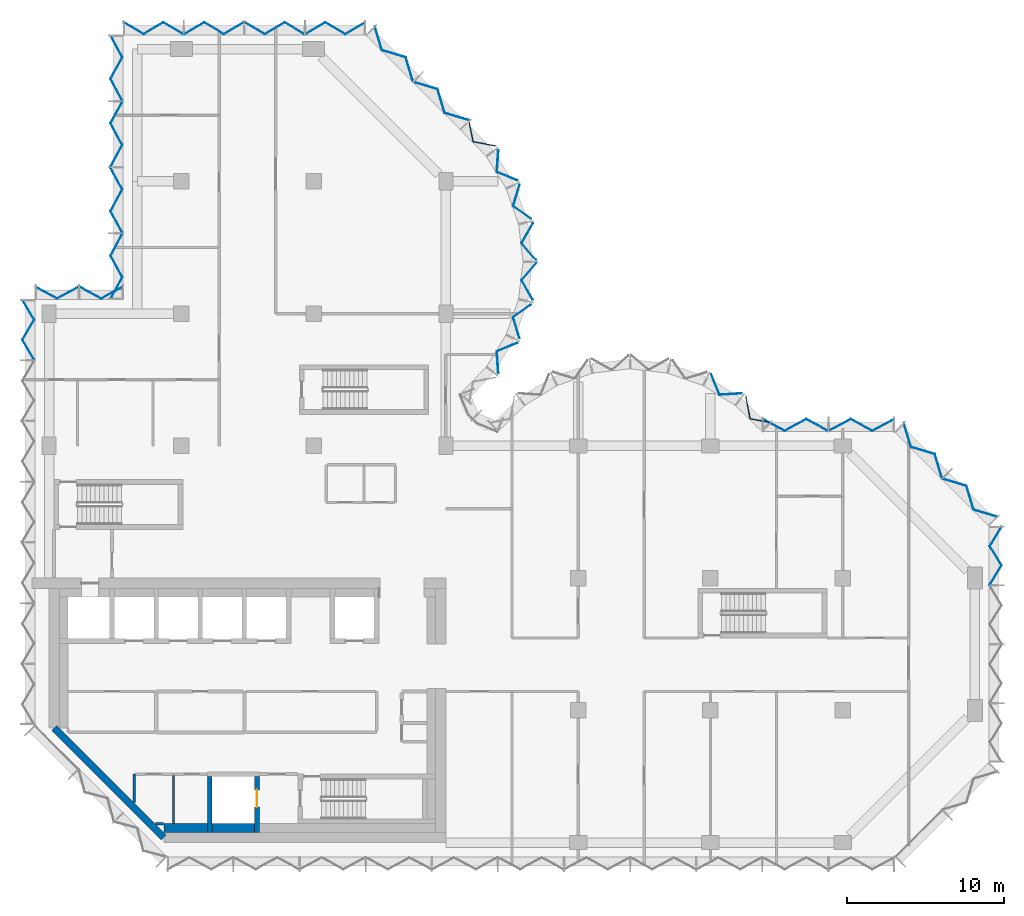
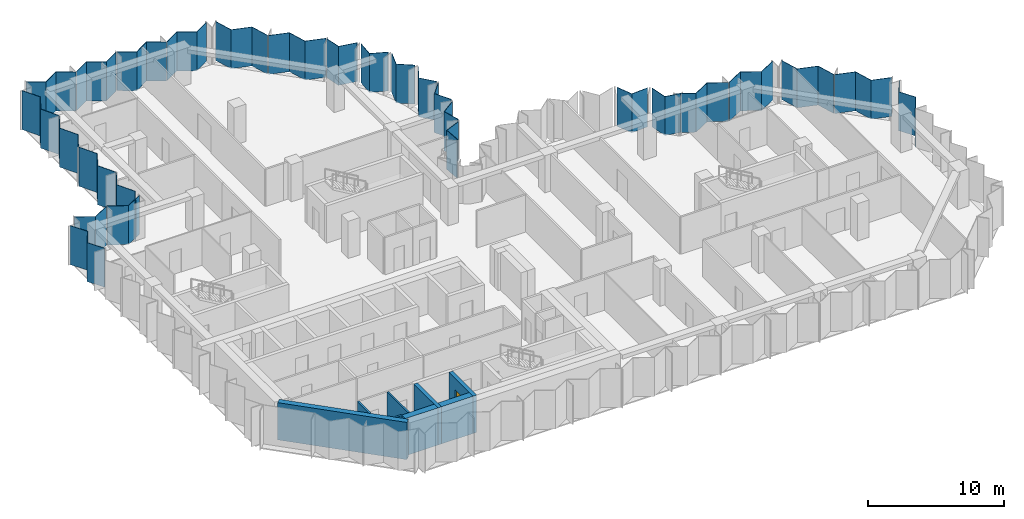
# One storey, part 4 of 10: 27 plates, 8 walls, 1 door, 1 opening, 10 elements without a shape of their own.
"""IFC4 building model written with IfcOpenShell, lengths in metres."""

from ifc_helpers import new_model, si_unit, direction, frame, frame_2d, origin, place, context, subcontext, project, spatial, polyline, rectangle, outline, extrude, material, layer, layer_set, type_object, element, fill, aggregate, save


model = new_model("IFC4")

# Units and contexts
model_context = context("Model", 3, precision=1e-05, world=origin(), true_north=direction((0.0, 1.0)))
body_context = subcontext(model_context, "Body", "Model", "MODEL_VIEW")
ifc_project = project(units=[si_unit("LENGTHUNIT", "METRE"), si_unit("AREAUNIT", "SQUARE_METRE"), si_unit("VOLUMEUNIT", "CUBIC_METRE"), si_unit("PLANEANGLEUNIT", "RADIAN"), si_unit("MASSUNIT", "GRAM", prefix="KILO")], contexts=[model_context])

# Site, building, storey
site_placement = place(None, origin())
site = spatial("IfcSite", under=ifc_project, at=site_placement, CompositionType="ELEMENT")
building_placement = place(site_placement, origin())
building = spatial("IfcBuilding", under=site, at=building_placement, Name="Brevane Broadcast Tower", CompositionType="ELEMENT")
storey_placement = place(building_placement, frame((0.0, 0.0, 170.39990234375)))
storey = spatial("IfcBuildingStorey", under=building, at=storey_placement, Name="L42", CompositionType="ELEMENT", Elevation=170.39990234375)

# Curtain wall, plate
ifc_material_1 = material(Name="Aluminium 6063-T6 bronze anodised", Category="aluminium")
curtain_wall_type = type_object("IfcCurtainWallType", Name="CW-1 curtain wall", PredefinedType="NOTDEFINED", material=ifc_material_1)
curtain_wall_1_placement = place(storey_placement, origin())
curtain_wall_1 = element("IfcCurtainWall", 1, at=curtain_wall_1_placement, inside=storey, type_object=curtain_wall_type, Name="CW-1 typical tilted unit L42 east end", PredefinedType="NOTDEFINED")
ifc_material_2 = material(Name="Laminated glass bronze-tinted", Category="glass")
ifc_layer_1 = layer(ifc_material_2, 0.0400390625)
ifc_layer_set_1 = layer_set([ifc_layer_1], Name="CW tall glass panel 40")
plate_type = type_object("IfcPlateType", Name="CW tall glass panel 40", PredefinedType="CURTAIN_PANEL", material=ifc_layer_set_1)
plate_1_placement = place(storey_placement, frame((0.0, 0.0, -0.14990234375)))
plate_1 = element("IfcPlate", 2, at=plate_1_placement, type_object=plate_type, Name="CW-1 glass panel", PredefinedType="CURTAIN_PANEL", context=body_context, shape_type="SweptSolid", body=[
    extrude(outline(polyline([(59.7265625, 16.385009765625), (59.7734375, 16.385009765625), (60.517822265625, 17.61181640625), (59.7734375, 18.83837890625), (60.517822265625, 20.06494140625), (60.470947265625, 20.06494140625), (59.7265625, 18.83837890625), (60.470947265625, 17.61181640625), (59.7265625, 16.385009765625)])), origin(), (0.0, 0.0, 1.0), 3.5),
])
aggregate(curtain_wall_1, [plate_1])

# Curtain wall, plates
curtain_wall_2_placement = place(storey_placement, origin())
curtain_wall_2 = element("IfcCurtainWall", 3, at=curtain_wall_2_placement, inside=storey, type_object=curtain_wall_type, Name="CW-1 typical tilted unit L42 north-east chamfer", PredefinedType="NOTDEFINED")
plate_2_placement = place(storey_placement, frame((0.0, 0.0, -0.14990234375)))
plate_2 = element("IfcPlate", 4, at=plate_2_placement, type_object=plate_type, Name="CW-1 glass panel", PredefinedType="CURTAIN_PANEL", context=body_context, shape_type="SweptSolid", body=[
    extrude(outline(polyline([(60.220947265625, 20.67041015625), (60.2529296875, 20.702392578125), (58.7431640625, 21.15966796875), (58.285888671875, 22.66943359375), (56.776123046875, 23.126708984375), (56.744140625, 23.094482421875), (58.25390625, 22.637451171875), (58.711181640625, 21.127685546875), (60.220947265625, 20.67041015625)])), origin(), (0.0, 0.0, 1.0), 3.5),
])
plate_3_placement = place(storey_placement, frame((0.0, 0.0, -0.14990234375)))
plate_3 = element("IfcPlate", 5, at=plate_3_placement, type_object=plate_type, Name="CW-1 glass panel", PredefinedType="CURTAIN_PANEL", context=body_context, shape_type="SweptSolid", body=[
    extrude(outline(polyline([(56.694580078125, 23.14404296875), (56.7265625, 23.176025390625), (56.26953125, 24.68603515625), (54.759521484375, 25.14306640625), (54.302490234375, 26.653076171875), (54.2705078125, 26.620849609375), (54.7275390625, 25.111083984375), (56.2373046875, 24.65380859375), (56.694580078125, 23.14404296875)])), origin(), (0.0, 0.0, 1.0), 3.5),
])
aggregate(curtain_wall_2, [plate_2, plate_3])

curtain_wall_3_placement = place(storey_placement, origin())
curtain_wall_3 = element("IfcCurtainWall", 6, at=curtain_wall_3_placement, inside=storey, type_object=curtain_wall_type, Name="CW-1 typical tilted unit L42 east arm north face", PredefinedType="NOTDEFINED")
plate_4_placement = place(storey_placement, frame((0.0, 0.0, -0.14990234375)))
plate_4 = element("IfcPlate", 7, at=plate_4_placement, type_object=plate_type, Name="CW-1 glass panel", PredefinedType="CURTAIN_PANEL", context=body_context, shape_type="SweptSolid", body=[
    extrude(outline(polyline([(53.6650390625, 26.87158203125), (53.6650390625, 26.9169921875), (52.288330078125, 26.172607421875), (50.91162109375, 26.9169921875), (49.534912109375, 26.172607421875), (49.534912109375, 26.127197265625), (50.91162109375, 26.87158203125), (52.288330078125, 26.127197265625), (53.6650390625, 26.87158203125)])), origin(), (0.0, 0.0, 1.0), 3.5),
])
plate_5_placement = place(storey_placement, frame((0.0, 0.0, -0.14990234375)))
plate_5 = element("IfcPlate", 8, at=plate_5_placement, type_object=plate_type, Name="CW-1 glass panel", PredefinedType="CURTAIN_PANEL", context=body_context, shape_type="SweptSolid", body=[
    extrude(outline(polyline([(49.465087890625, 26.127197265625), (49.465087890625, 26.172607421875), (48.08837890625, 26.9169921875), (46.711669921875, 26.172607421875), (45.3349609375, 26.9169921875), (45.3349609375, 26.87158203125), (46.711669921875, 26.127197265625), (48.08837890625, 26.87158203125), (49.465087890625, 26.127197265625)])), origin(), (0.0, 0.0, 1.0), 3.5),
])
aggregate(curtain_wall_3, [plate_4, plate_5])

curtain_wall_4_placement = place(storey_placement, origin())
curtain_wall_4 = element("IfcCurtainWall", 9, at=curtain_wall_4_placement, inside=storey, type_object=curtain_wall_type, Name="CW-1 typical tilted unit L42 east bow", PredefinedType="NOTDEFINED")
plate_6_placement = place(storey_placement, frame((0.0, 0.0, -0.14990234375)))
plate_6 = element("IfcPlate", 10, at=plate_6_placement, type_object=plate_type, Name="CW-1 glass panel", PredefinedType="CURTAIN_PANEL", context=body_context, shape_type="SweptSolid", body=[
    extrude(outline(polyline([(45.79150390625, 26.656005859375), (45.82470703125, 26.690185546875), (44.539306640625, 26.9423828125), (44.263916015625, 28.3857421875), (44.231201171875, 28.34375), (44.5048828125, 26.908203125), (45.79150390625, 26.656005859375)])), origin(), (0.0, 0.0, 1.0), 3.5),
])
plate_7_placement = place(storey_placement, frame((0.0, 0.0, -0.14990234375)))
plate_7 = element("IfcPlate", 11, at=plate_7_placement, type_object=plate_type, Name="CW-1 glass panel", PredefinedType="CURTAIN_PANEL", context=body_context, shape_type="SweptSolid", body=[
    extrude(outline(polyline([(43.950439453125, 28.5087890625), (43.9833984375, 28.551025390625), (42.601318359375, 28.462890625), (42.0703125, 29.76171875), (42.046875, 29.712890625), (42.5751953125, 28.42138671875), (43.950439453125, 28.5087890625)])), origin(), (0.0, 0.0, 1.0), 3.5),
])
aggregate(curtain_wall_4, [plate_6, plate_7])

curtain_wall_5_placement = place(storey_placement, origin())
curtain_wall_5 = element("IfcCurtainWall", 12, at=curtain_wall_5_placement, inside=storey, type_object=curtain_wall_type, Name="CW-1 typical tilted unit L42 north bow", PredefinedType="NOTDEFINED")
plate_8_placement = place(storey_placement, frame((0.0, 0.0, -0.14990234375)))
plate_8 = element("IfcPlate", 13, at=plate_8_placement, type_object=plate_type, Name="CW-1 glass panel", PredefinedType="CURTAIN_PANEL", context=body_context, shape_type="SweptSolid", body=[
    extrude(outline(polyline([(28.5087890625, 29.849609375), (28.551025390625, 29.816650390625), (28.462890625, 31.198486328125), (29.76171875, 31.729736328125), (29.712890625, 31.753173828125), (28.42138671875, 31.224609375), (28.5087890625, 29.849609375)])), origin(), (0.0, 0.0, 1.0), 3.5),
])
plate_9_placement = place(storey_placement, frame((0.0, 0.0, -0.14990234375)))
plate_9 = element("IfcPlate", 14, at=plate_9_placement, type_object=plate_type, Name="CW-1 glass panel", PredefinedType="CURTAIN_PANEL", context=body_context, shape_type="SweptSolid", body=[
    extrude(outline(polyline([(29.851806640625, 32.044677734375), (29.900634765625, 32.021484375), (29.494384765625, 33.364501953125), (30.622802734375, 34.167236328125), (30.57080078125, 34.17919921875), (29.44775390625, 33.380615234375), (29.851806640625, 32.044677734375)])), origin(), (0.0, 0.0, 1.0), 3.5),
])
plate_10_placement = place(storey_placement, frame((0.0, 0.0, -0.14990234375)))
plate_10 = element("IfcPlate", 15, at=plate_10_placement, type_object=plate_type, Name="CW-1 glass panel", PredefinedType="CURTAIN_PANEL", context=body_context, shape_type="SweptSolid", body=[
    extrude(outline(polyline([(30.68798828125, 34.483642578125), (30.740478515625, 34.4716796875), (30.036376953125, 35.730224609375), (30.94921875, 36.7919921875), (30.896484375, 36.7919921875), (29.98779296875, 35.735107421875), (30.68798828125, 34.483642578125)])), origin(), (0.0, 0.0, 1.0), 3.5),
])
plate_11_placement = place(storey_placement, frame((0.0, 0.0, -0.14990234375)))
plate_11 = element("IfcPlate", 16, at=plate_11_placement, type_object=plate_type, Name="CW-1 glass panel", PredefinedType="CURTAIN_PANEL", context=body_context, shape_type="SweptSolid", body=[
    extrude(outline(polyline([(30.896484375, 37.008056640625), (30.94921875, 37.008056640625), (30.036376953125, 38.069580078125), (30.740478515625, 39.328369140625), (30.68798828125, 39.31640625), (29.98779296875, 38.064697265625), (30.896484375, 37.008056640625)])), origin(), (0.0, 0.0, 1.0), 3.5),
])
plate_12_placement = place(storey_placement, frame((0.0, 0.0, -0.14990234375)))
plate_12 = element("IfcPlate", 17, at=plate_12_placement, type_object=plate_type, Name="CW-1 glass panel", PredefinedType="CURTAIN_PANEL", context=body_context, shape_type="SweptSolid", body=[
    extrude(outline(polyline([(30.57080078125, 39.62060546875), (30.622802734375, 39.6328125), (29.494384765625, 40.435546875), (29.900634765625, 41.778564453125), (29.851806640625, 41.75537109375), (29.44775390625, 40.41943359375), (30.57080078125, 39.62060546875)])), origin(), (0.0, 0.0, 1.0), 3.5),
])
plate_13_placement = place(storey_placement, frame((0.0, 0.0, -0.14990234375)))
plate_13 = element("IfcPlate", 18, at=plate_13_placement, type_object=plate_type, Name="CW-1 glass panel", PredefinedType="CURTAIN_PANEL", context=body_context, shape_type="SweptSolid", body=[
    extrude(outline(polyline([(29.712890625, 42.046875), (29.76171875, 42.0703125), (28.462890625, 42.601318359375), (28.551025390625, 43.9833984375), (28.5087890625, 43.950439453125), (28.42138671875, 42.5751953125), (29.712890625, 42.046875)])), origin(), (0.0, 0.0, 1.0), 3.5),
])
plate_14_placement = place(storey_placement, frame((0.0, 0.0, -0.14990234375)))
plate_14 = element("IfcPlate", 19, at=plate_14_placement, type_object=plate_type, Name="CW-1 glass panel", PredefinedType="CURTAIN_PANEL", context=body_context, shape_type="SweptSolid", body=[
    extrude(outline(polyline([(28.34375, 44.231201171875), (28.3857421875, 44.263916015625), (26.9423828125, 44.539306640625), (26.690185546875, 45.82470703125), (26.656005859375, 45.79150390625), (26.908203125, 44.5048828125), (28.34375, 44.231201171875)])), origin(), (0.0, 0.0, 1.0), 3.5),
])
aggregate(curtain_wall_5, [plate_8, plate_9, plate_10, plate_11, plate_12, plate_13, plate_14])

curtain_wall_6_placement = place(storey_placement, origin())
curtain_wall_6 = element("IfcCurtainWall", 20, at=curtain_wall_6_placement, inside=storey, type_object=curtain_wall_type, Name="CW-1 typical tilted unit L42 north arm north-east chamfer", PredefinedType="NOTDEFINED")
plate_15_placement = place(storey_placement, frame((0.0, 0.0, -0.14990234375)))
plate_15 = element("IfcPlate", 21, at=plate_15_placement, type_object=plate_type, Name="CW-1 glass panel", PredefinedType="CURTAIN_PANEL", context=body_context, shape_type="SweptSolid", body=[
    extrude(outline(polyline([(26.620849609375, 45.870361328125), (26.653076171875, 45.902587890625), (25.14306640625, 46.359619140625), (24.68603515625, 47.869384765625), (23.176025390625, 48.32666015625), (23.14404296875, 48.294677734375), (24.65380859375, 47.83740234375), (25.111083984375, 46.32763671875), (26.620849609375, 45.870361328125)])), origin(), (0.0, 0.0, 1.0), 3.5),
])
plate_16_placement = place(storey_placement, frame((0.0, 0.0, -0.14990234375)))
plate_16 = element("IfcPlate", 22, at=plate_16_placement, type_object=plate_type, Name="CW-1 glass panel", PredefinedType="CURTAIN_PANEL", context=body_context, shape_type="SweptSolid", body=[
    extrude(outline(polyline([(23.094482421875, 48.343994140625), (23.126708984375, 48.376220703125), (22.66943359375, 49.885986328125), (21.15966796875, 50.343017578125), (20.702392578125, 51.85302734375), (20.67041015625, 51.82080078125), (21.127685546875, 50.31103515625), (22.637451171875, 49.85400390625), (23.094482421875, 48.343994140625)])), origin(), (0.0, 0.0, 1.0), 3.5),
])
aggregate(curtain_wall_6, [plate_15, plate_16])

curtain_wall_7_placement = place(storey_placement, origin())
curtain_wall_7 = element("IfcCurtainWall", 23, at=curtain_wall_7_placement, inside=storey, type_object=curtain_wall_type, Name="CW-1 typical tilted unit L42 north end", PredefinedType="NOTDEFINED")
plate_17_placement = place(storey_placement, frame((0.0, 0.0, -0.14990234375)))
plate_17 = element("IfcPlate", 24, at=plate_17_placement, type_object=plate_type, Name="CW-1 glass panel", PredefinedType="CURTAIN_PANEL", context=body_context, shape_type="SweptSolid", body=[
    extrude(outline(polyline([(20.06494140625, 52.0712890625), (20.06494140625, 52.11767578125), (18.804931640625, 51.373291015625), (17.544921875, 52.11767578125), (16.284912109375, 51.373291015625), (16.284912109375, 51.326904296875), (17.544921875, 52.0712890625), (18.804931640625, 51.326904296875), (20.06494140625, 52.0712890625)])), origin(), (0.0, 0.0, 1.0), 3.5),
])
plate_18_placement = place(storey_placement, frame((0.0, 0.0, -0.14990234375)))
plate_18 = element("IfcPlate", 25, at=plate_18_placement, type_object=plate_type, Name="CW-1 glass panel", PredefinedType="CURTAIN_PANEL", context=body_context, shape_type="SweptSolid", body=[
    extrude(outline(polyline([(16.215087890625, 51.326904296875), (16.215087890625, 51.373291015625), (14.955078125, 52.11767578125), (13.695068359375, 51.373291015625), (12.43505859375, 52.11767578125), (12.43505859375, 52.0712890625), (13.695068359375, 51.326904296875), (14.955078125, 52.0712890625), (16.215087890625, 51.326904296875)])), origin(), (0.0, 0.0, 1.0), 3.5),
])
plate_19_placement = place(storey_placement, frame((0.0, 0.0, -0.14990234375)))
plate_19 = element("IfcPlate", 26, at=plate_19_placement, type_object=plate_type, Name="CW-1 glass panel", PredefinedType="CURTAIN_PANEL", context=body_context, shape_type="SweptSolid", body=[
    extrude(outline(polyline([(12.364990234375, 52.0712890625), (12.364990234375, 52.11767578125), (11.10498046875, 51.373291015625), (9.844970703125, 52.11767578125), (8.5849609375, 51.373291015625), (8.5849609375, 51.326904296875), (9.844970703125, 52.0712890625), (11.10498046875, 51.326904296875), (12.364990234375, 52.0712890625)])), origin(), (0.0, 0.0, 1.0), 3.5),
])
plate_20_placement = place(storey_placement, frame((0.0, 0.0, -0.14990234375)))
plate_20 = element("IfcPlate", 27, at=plate_20_placement, type_object=plate_type, Name="CW-1 glass panel", PredefinedType="CURTAIN_PANEL", context=body_context, shape_type="SweptSolid", body=[
    extrude(outline(polyline([(8.514892578125, 51.326904296875), (8.514892578125, 51.373291015625), (7.2548828125, 52.11767578125), (5.9951171875, 51.373291015625), (4.735107421875, 52.11767578125), (4.735107421875, 52.0712890625), (5.9951171875, 51.326904296875), (7.2548828125, 52.0712890625), (8.514892578125, 51.326904296875)])), origin(), (0.0, 0.0, 1.0), 3.5),
])
aggregate(curtain_wall_7, [plate_17, plate_18, plate_19, plate_20])

curtain_wall_8_placement = place(storey_placement, origin())
curtain_wall_8 = element("IfcCurtainWall", 28, at=curtain_wall_8_placement, inside=storey, type_object=curtain_wall_type, Name="CW-1 typical tilted unit L42 north wing west face, lower block", PredefinedType="NOTDEFINED")
plate_21_placement = place(storey_placement, frame((0.0, 0.0, -0.14990234375)))
plate_21 = element("IfcPlate", 29, at=plate_21_placement, type_object=plate_type, Name="CW-1 glass panel", PredefinedType="CURTAIN_PANEL", context=body_context, shape_type="SweptSolid", body=[
    extrude(outline(polyline([(3.92822265625, 51.264892578125), (3.8828125, 51.264892578125), (4.627197265625, 49.88818359375), (3.8828125, 48.51171875), (4.627197265625, 47.135009765625), (4.672607421875, 47.135009765625), (3.92822265625, 48.51171875), (4.672607421875, 49.88818359375), (3.92822265625, 51.264892578125)])), origin(), (0.0, 0.0, 1.0), 3.5),
])
plate_22_placement = place(storey_placement, frame((0.0, 0.0, -0.14990234375)))
plate_22 = element("IfcPlate", 30, at=plate_22_placement, type_object=plate_type, Name="CW-1 glass panel", PredefinedType="CURTAIN_PANEL", context=body_context, shape_type="SweptSolid", body=[
    extrude(outline(polyline([(4.672607421875, 47.06494140625), (4.627197265625, 47.06494140625), (3.8828125, 45.688232421875), (4.627197265625, 44.311767578125), (3.8828125, 42.93505859375), (3.92822265625, 42.93505859375), (4.672607421875, 44.311767578125), (3.92822265625, 45.688232421875), (4.672607421875, 47.06494140625)])), origin(), (0.0, 0.0, 1.0), 3.5),
])
plate_23_placement = place(storey_placement, frame((0.0, 0.0, -0.14990234375)))
plate_23 = element("IfcPlate", 31, at=plate_23_placement, type_object=plate_type, Name="CW-1 glass panel", PredefinedType="CURTAIN_PANEL", context=body_context, shape_type="SweptSolid", body=[
    extrude(outline(polyline([(3.92822265625, 42.864990234375), (3.8828125, 42.864990234375), (4.627197265625, 41.48828125), (3.8828125, 40.11181640625), (4.627197265625, 38.735107421875), (4.672607421875, 38.735107421875), (3.92822265625, 40.11181640625), (4.672607421875, 41.48828125), (3.92822265625, 42.864990234375)])), origin(), (0.0, 0.0, 1.0), 3.5),
])
plate_24_placement = place(storey_placement, frame((0.0, 0.0, -0.14990234375)))
plate_24 = element("IfcPlate", 32, at=plate_24_placement, type_object=plate_type, Name="CW-1 glass panel", PredefinedType="CURTAIN_PANEL", context=body_context, shape_type="SweptSolid", body=[
    extrude(outline(polyline([(4.672607421875, 38.6650390625), (4.627197265625, 38.6650390625), (3.8828125, 37.288330078125), (4.627197265625, 35.91162109375), (3.8828125, 34.534912109375), (3.92822265625, 34.534912109375), (4.672607421875, 35.91162109375), (3.92822265625, 37.288330078125), (4.672607421875, 38.6650390625)])), origin(), (0.0, 0.0, 1.0), 3.5),
])
aggregate(curtain_wall_8, [plate_21, plate_22, plate_23, plate_24])

curtain_wall_9_placement = place(storey_placement, origin())
curtain_wall_9 = element("IfcCurtainWall", 33, at=curtain_wall_9_placement, inside=storey, type_object=curtain_wall_type, Name="CW-1 typical tilted unit L42 north wing west return, lower block", PredefinedType="NOTDEFINED")
plate_25_placement = place(storey_placement, frame((0.0, 0.0, -0.14990234375)))
plate_25 = element("IfcPlate", 34, at=plate_25_placement, type_object=plate_type, Name="CW-1 glass panel", PredefinedType="CURTAIN_PANEL", context=body_context, shape_type="SweptSolid", body=[
    extrude(outline(polyline([(4.6650390625, 35.271484375), (4.6650390625, 35.317138671875), (3.300048828125, 34.57275390625), (1.93505859375, 35.317138671875), (1.93505859375, 35.271484375), (3.300048828125, 34.527099609375), (4.6650390625, 35.271484375)])), origin(), (0.0, 0.0, 1.0), 3.5),
])
plate_26_placement = place(storey_placement, frame((0.0, 0.0, -0.14990234375)))
plate_26 = element("IfcPlate", 35, at=plate_26_placement, type_object=plate_type, Name="CW-1 glass panel", PredefinedType="CURTAIN_PANEL", context=body_context, shape_type="SweptSolid", body=[
    extrude(outline(polyline([(1.864990234375, 35.271484375), (1.864990234375, 35.317138671875), (0.5, 34.57275390625), (-0.864990234375, 35.317138671875), (-0.864990234375, 35.271484375), (0.5, 34.527099609375), (1.864990234375, 35.271484375)])), origin(), (0.0, 0.0, 1.0), 3.5),
])
aggregate(curtain_wall_9, [plate_25, plate_26])

# Curtain wall, plate
curtain_wall_10_placement = place(storey_placement, origin())
curtain_wall_10 = element("IfcCurtainWall", 36, at=curtain_wall_10_placement, inside=storey, type_object=curtain_wall_type, Name="CW-1 typical tilted unit L42 west face", PredefinedType="NOTDEFINED")
plate_27_placement = place(storey_placement, frame((0.0, 0.0, -0.14990234375)))
plate_27 = element("IfcPlate", 37, at=plate_27_placement, type_object=plate_type, Name="CW-1 glass panel", PredefinedType="CURTAIN_PANEL", context=body_context, shape_type="SweptSolid", body=[
    extrude(outline(polyline([(-1.671142578125, 34.465087890625), (-1.717529296875, 34.465087890625), (-0.97314453125, 33.20263671875), (-1.717529296875, 31.940185546875), (-0.97314453125, 30.677978515625), (-0.9267578125, 30.677978515625), (-1.671142578125, 31.940185546875), (-0.9267578125, 33.20263671875), (-1.671142578125, 34.465087890625)])), origin(), (0.0, 0.0, 1.0), 3.5),
])
aggregate(curtain_wall_10, [plate_27])

# Walls
ifc_material_3 = material(Name="Concrete C32/40", Category="concrete")
ifc_layer_2 = layer(ifc_material_3, 0.550048828125)
ifc_layer_set_2 = layer_set([ifc_layer_2], Name="Core chase wall 550 mm")
wall_type_1 = type_object("IfcWallType", Name="Core chase wall 550 mm", PredefinedType="PARTITIONING", material=ifc_layer_set_2)
wall_1_placement = place(storey_placement, frame((7.286376953125, 0.925048828125, 0.0), z_axis=(0.0, 0.0, 1.0), x_axis=(1.0, 0.0, 0.0)))
element("IfcWall", 38, at=wall_1_placement, inside=storey, type_object=wall_type_1, Name="L42 chase wall LS-1", PredefinedType="PARTITIONING", context=body_context, shape_type="SweptSolid", body=[
    extrude(rectangle(XDim=2.763671875, YDim=0.550048828125, at=frame_2d((1.3818359375, 0.0))), origin(), (0.0, 0.0, 1.0), 3.35009765625),
])
wall_2_placement = place(storey_placement, frame((10.35009765625, 0.925048828125, 0.0), z_axis=(0.0, 0.0, 1.0), x_axis=(1.0, 0.0, 0.0)))
element("IfcWall", 39, at=wall_2_placement, inside=storey, type_object=wall_type_1, Name="L42 chase wall LS-2-1", PredefinedType="PARTITIONING", context=body_context, shape_type="SweptSolid", body=[
    extrude(rectangle(XDim=2.699951171875, YDim=0.550048828125, at=frame_2d((1.35009765625, 0.0))), origin(), (0.0, 0.0, 1.0), 3.35009765625),
])
ifc_material_4 = material(Name="Gypsum board on steel studs", Category="steel")
ifc_layer_3 = layer(ifc_material_4, 0.14990234375)
ifc_layer_set_3 = layer_set([ifc_layer_3], Name="Core fire partition 150 mm")
wall_type_2 = type_object("IfcWallType", Name="Core fire partition 150 mm", PredefinedType="PARTITIONING", material=ifc_layer_set_3)
wall_3_placement = place(storey_placement, frame((5.39990234375, 2.553466796875, 0.0), z_axis=(0.0, 0.0, 1.0), x_axis=(0.0, 1.0, 0.0)))
element("IfcWall", 40, at=wall_3_placement, inside=storey, type_object=wall_type_2, Name="L42 partition wall P11", PredefinedType="PARTITIONING", context=body_context, shape_type="SweptSolid", body=[
    extrude(rectangle(XDim=1.796630859375, YDim=0.14990234375, at=frame_2d((0.8984375, 0.0))), origin(), (0.0, 0.0, 1.0), 3.35009765625),
])
wall_4_placement = place(storey_placement, frame((7.89990234375, 4.27490234375, 0.0), z_axis=(0.0, 0.0, 1.0), x_axis=(0.0, -1.0, 0.0)))
element("IfcWall", 41, at=wall_4_placement, inside=storey, type_object=wall_type_2, Name="L42 partition wall P13", PredefinedType="PARTITIONING", context=body_context, shape_type="SweptSolid", body=[
    extrude(rectangle(XDim=3.06298828125, YDim=0.14990234375, at=frame_2d((1.531494140625, 0.0))), origin(), (0.0, 0.0, 1.0), 3.35009765625),
])
wall_5_placement = place(storey_placement, frame((7.2744140625, 1.199951171875, 0.0), z_axis=(0.0, 0.0, 1.0), x_axis=(-1.0, 0.0, 0.0)))
element("IfcWall", 42, at=wall_5_placement, inside=storey, type_object=wall_type_2, Name="L42 partition wall P14", PredefinedType="PARTITIONING", context=body_context, shape_type="SweptSolid", body=[
    extrude(rectangle(XDim=0.52099609375, YDim=0.14990234375, at=frame_2d((0.260498046875, 0.0))), origin(), (0.0, 0.0, 1.0), 3.35009765625),
])
ifc_material_5 = material(Name="Concrete C60/75", Category="concrete")
ifc_layer_4 = layer(ifc_material_5, 0.300048828125)
ifc_layer_set_4 = layer_set([ifc_layer_4], Name="Core wall 300 mm C60/75")
wall_type_3 = type_object("IfcWallType", Name="Core wall 300 mm C60/75", PredefinedType="SHEAR", material=ifc_layer_set_4)
wall_6_placement = place(storey_placement, frame((10.199951171875, 0.64990234375, 0.0), z_axis=(0.0, 0.0, 1.0), x_axis=(0.0, 1.0, 0.0)))
element("IfcWall", 43, at=wall_6_placement, inside=storey, type_object=wall_type_3, Name="L42 shaft wall FF2-W", PredefinedType="SHEAR", context=body_context, shape_type="SweptSolid", body=[
    extrude(rectangle(XDim=3.550048828125, YDim=0.300048828125, at=frame_2d((1.77490234375, 0.0))), origin(), (0.0, 0.0, 1.0), 3.35009765625),
])

# Wall, opening, door
wall_7_placement = place(storey_placement, frame((13.199951171875, 0.64990234375, 0.0), z_axis=(0.0, 0.0, 1.0), x_axis=(0.0, 1.0, 0.0)))
wall_7 = element("IfcWall", 44, at=wall_7_placement, inside=storey, type_object=wall_type_3, Name="L42 shaft wall FF2-E", PredefinedType="SHEAR", context=body_context, shape_type="SweptSolid", body=[
    extrude(rectangle(XDim=3.550048828125, YDim=0.300048828125, at=frame_2d((1.77490234375, 0.0))), origin(), (0.0, 0.0, 1.0), 3.35009765625),
])
opening_placement = place(wall_7_placement, frame((1.60009765625, 0.0, 0.0)))
opening = element("IfcOpeningElement", 45, at=opening_placement, cuts=wall_7, Name="Opening LD", PredefinedType="OPENING", context=body_context, shape_type="SweptSolid", body=[
    extrude(rectangle(XDim=1.10009765625, YDim=2.300048828125, at=frame_2d((0.550048828125, 1.14990234375))), frame((0.0, 0.159912109375, 0.0), z_axis=(0.0, -1.0, 0.0), x_axis=(1.0, 0.0, 0.0)), (0.0, 0.0, 1.0), 0.320068359375),
])
ifc_material_6 = material(Name="Stainless steel", Category="steel")
door_type = type_object("IfcDoorType", Name="Lift landing door", OperationType="SLIDING_TO_LEFT", PredefinedType="DOOR", material=ifc_material_6)
door_placement = place(opening_placement, origin())
door = element("IfcDoor", 46, at=door_placement, inside=storey, type_object=door_type, Name="Landing door FF2 L42", OperationType="SLIDING_TO_LEFT", OverallHeight=2.300048828125, OverallWidth=1.10009765625, PredefinedType="DOOR", context=body_context, shape_type="SweptSolid", body=[
    extrude(rectangle(XDim=1.10009765625, YDim=2.300048828125, at=frame_2d((0.550048828125, 1.14990234375))), frame((0.0, 0.02490234375, 0.0), z_axis=(0.0, -1.0, 0.0), x_axis=(1.0, 0.0, 0.0)), (0.0, 0.0, 1.0), 0.050048828125),
])
fill(opening, door)

# Wall
ifc_layer_5 = layer(ifc_material_5, 0.449951171875)
ifc_layer_set_5 = layer_set([ifc_layer_5], Name="Core wall 450 mm C60/75")
wall_type_4 = type_object("IfcWallType", Name="Core wall 450 mm C60/75", PredefinedType="SHEAR", material=ifc_layer_set_5)
wall_8_placement = place(storey_placement, frame((0.324951171875, 7.293212890625, 0.0), z_axis=(0.0, 0.0, 1.0), x_axis=(0.707106781187, -0.707106781187, 0.0)))
element("IfcWall", 47, at=wall_8_placement, inside=storey, type_object=wall_type_4, Name="L42 outer wall WC", PredefinedType="SHEAR", context=body_context, shape_type="SweptSolid", body=[
    extrude(rectangle(XDim=9.8544921875, YDim=0.449951171875, at=frame_2d((4.92724609375, 0.0))), origin(), (0.0, 0.0, 1.0), 3.35009765625),
])

save(model, "model.ifc")
